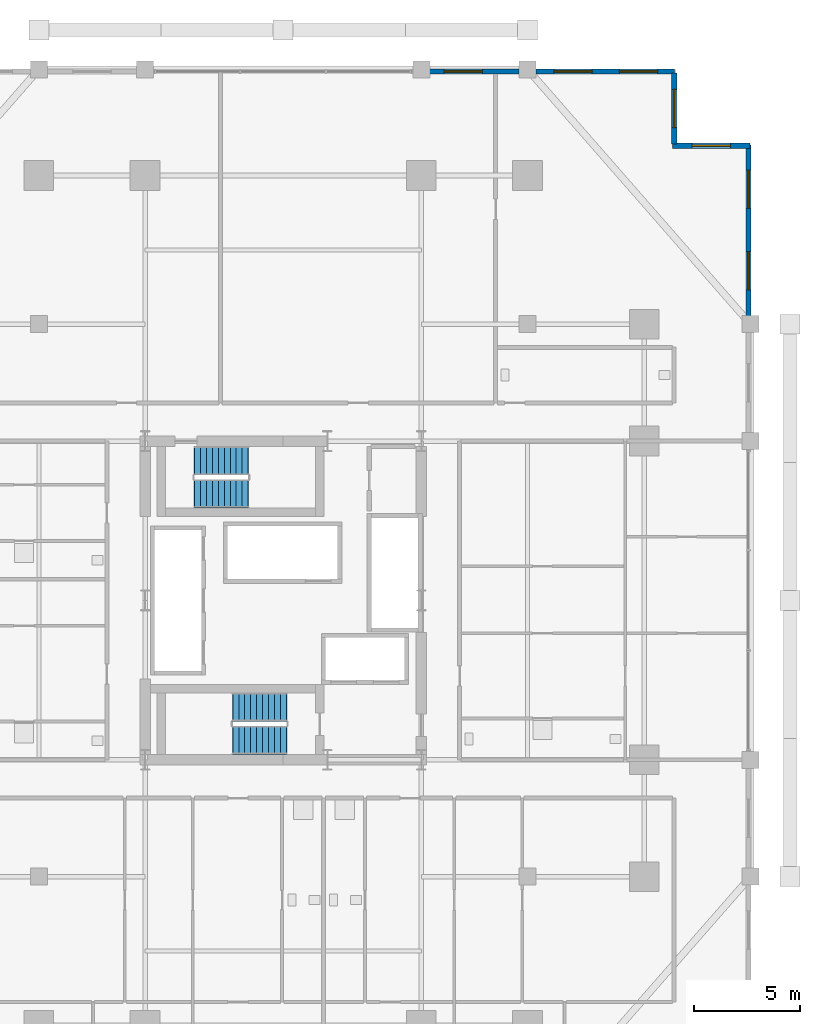
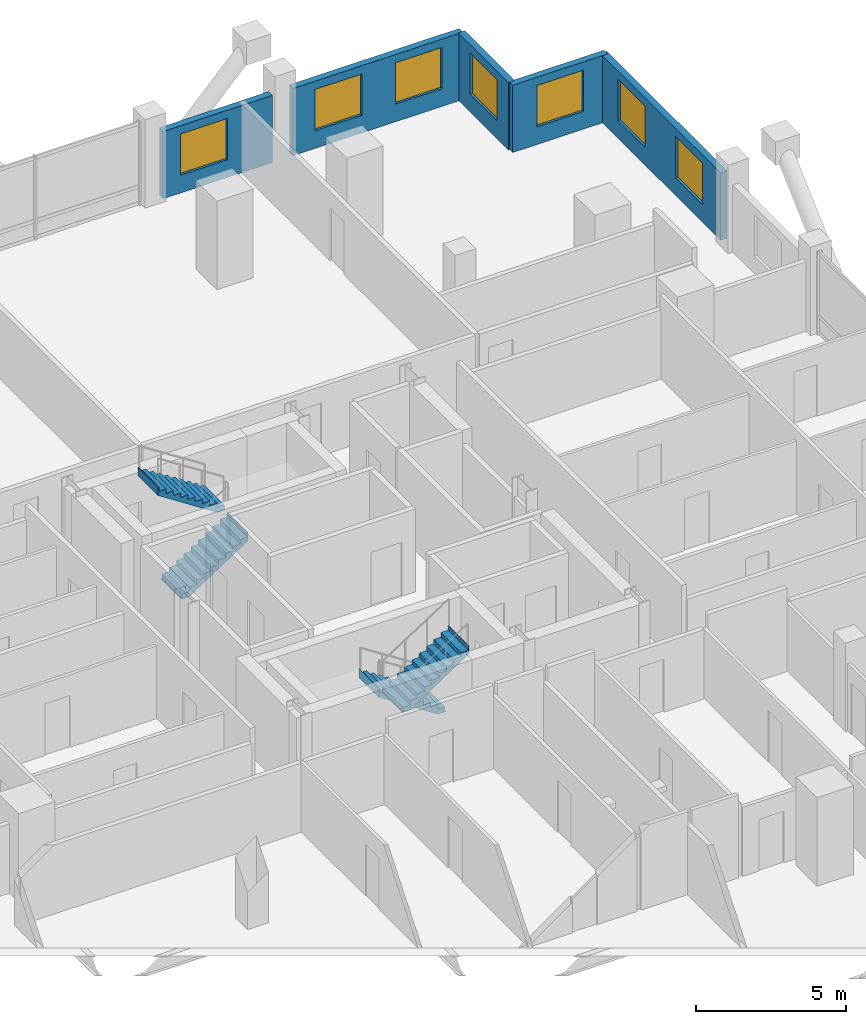
# One storey, part 21 of 23: 7 windows, 5 walls, 4 stair flights, 7 openings, 2 elements without a shape of their own.
"""IFC4 building model written with IfcOpenShell, lengths in metres."""

import ifcopenshell
import ifcopenshell.guid

model = None  # the IFC model being written
_history = None  # IfcOwnerHistory: only IFC2X3 demands one
_inside = {}  # id of a spatial element -> (the spatial element, [elements in it])
_under = {}  # id of a project, library or spatial element -> (it, [spatial elements below it])
_declared = {}  # id of a project -> (the project, [libraries it declares])
_typed = {}  # id of a type object -> (the type object, [elements of that type])
_made_of = {}  # id of a material, layer set ... -> (it, [elements and type objects made of it])


def new_model(schema):
    """Start an empty IFC model of exactly this schema.

    Asked for "IFC4X3", IfcOpenShell would pick the latest addendum, in which some entities
    have other attributes; the version numbers below select the first issue.
    IFC2X3 requires an IfcOwnerHistory on every rooted entity: one is made here for all.
    """
    global model, _history
    if schema == "IFC4X3":
        model = ifcopenshell.file(schema_version=(4, 3, 0, 0))
    else:
        model = ifcopenshell.file(schema=schema)
    _inside.clear()
    _under.clear()
    _declared.clear()
    _typed.clear()
    _made_of.clear()
    _history = None
    if model.schema == "IFC2X3":
        org = make("IfcOrganization", Name="unknown")
        user = make(
            "IfcPersonAndOrganization",
            ThePerson=make("IfcPerson", FamilyName="unknown"),
            TheOrganization=org,
        )
        app = make(
            "IfcApplication",
            ApplicationDeveloper=org,
            Version="unknown",
            ApplicationFullName="unknown",
            ApplicationIdentifier="unknown",
        )
        _history = make(
            "IfcOwnerHistory",
            OwningUser=user,
            OwningApplication=app,
            ChangeAction="ADDED",
            CreationDate=0,
        )
    return model


def make(cls, **values):
    """One entity of the class cls with the attributes given. An attribute that is None is left unset."""
    return model.create_entity(
        cls, **{name: value for name, value in values.items() if value is not None}
    )


def rooted(cls, **values):
    """An entity with a GlobalId (a new one), such as an element, a storey or a relation."""
    return make(cls, GlobalId=ifcopenshell.guid.new(), OwnerHistory=_history, **values)


def si_unit(unit_type, name, prefix=None):
    """IfcSIUnit, for example si_unit("LENGTHUNIT", "METRE", prefix="MILLI")."""
    return make("IfcSIUnit", UnitType=unit_type, Prefix=prefix, Name=name)


def assignment(units):
    """IfcUnitAssignment: the units of a project."""
    return None if units is None else make("IfcUnitAssignment", Units=units)


def point(xyz):
    """IfcCartesianPoint."""
    return None if xyz is None else make("IfcCartesianPoint", Coordinates=xyz)


def direction(xyz):
    """IfcDirection."""
    return None if xyz is None else make("IfcDirection", DirectionRatios=xyz)


def frame(location, z_axis=None, x_axis=None):
    """IfcAxis2Placement3D, a coordinate frame: its origin and axes. An axis left out is left unset."""
    return make(
        "IfcAxis2Placement3D",
        Location=point(location),
        Axis=direction(z_axis),
        RefDirection=direction(x_axis),
    )


def frame_2d(location, x_axis=None):
    """IfcAxis2Placement2D, a coordinate frame in the plane: its origin and x axis."""
    return make(
        "IfcAxis2Placement2D", Location=point(location), RefDirection=direction(x_axis)
    )


def origin():
    """The frame at (0, 0, 0) with its axes left unset."""
    return frame((0.0, 0.0, 0.0))


def place(relative_to, where):
    """IfcLocalPlacement: puts the frame where relative to a parent placement (None: the world)."""
    return make(
        "IfcLocalPlacement", PlacementRelTo=relative_to, RelativePlacement=where
    )


def context(
    kind, dimensions, precision=None, world=None, true_north=None, identifier=None
):
    """IfcGeometricRepresentationContext, for example the 3D "Model" context."""
    return make(
        "IfcGeometricRepresentationContext",
        ContextIdentifier=identifier,
        ContextType=kind,
        CoordinateSpaceDimension=dimensions,
        Precision=precision,
        WorldCoordinateSystem=world,
        TrueNorth=true_north,
    )


def subcontext(parent, identifier, kind, view, scale=None):
    """IfcGeometricRepresentationSubContext, for example "Body" below "Model"."""
    return make(
        "IfcGeometricRepresentationSubContext",
        ContextIdentifier=identifier,
        ContextType=kind,
        ParentContext=parent,
        TargetScale=scale,
        TargetView=view,
    )


def project(units=None, contexts=None):
    """IfcProject with its units and contexts."""
    return rooted(
        "IfcProject",
        Name="project",
        RepresentationContexts=contexts,
        UnitsInContext=assignment(units),
    )


def spatial(cls, under=None, at=None, **own):
    """A site, building, storey or space (cls), placed at a placement, below another one or the project."""
    s = rooted(cls, ObjectPlacement=at, **own)
    if under is not None:
        _under.setdefault(under.id(), (under, []))[1].append(s)
    return s


def polyline(points):
    """IfcPolyline through the points."""
    return make("IfcPolyline", Points=[point(p) for p in points])


def profile(cls, at=None, kind="AREA", **sizes):
    """A parametric profile (cls). Its sizes go by their IFC names, for example OverallWidth=200.0."""
    return make(cls, ProfileType=kind, Position=at, **sizes)


def rectangle(**sizes):
    """IfcRectangleProfileDef."""
    return profile("IfcRectangleProfileDef", **sizes)


def outline(outer, holes=None, kind="AREA"):
    """IfcArbitraryClosedProfileDef: a profile drawn as a closed curve; with holes, ...WithVoids."""
    if holes is None:
        return make("IfcArbitraryClosedProfileDef", ProfileType=kind, OuterCurve=outer)
    return make(
        "IfcArbitraryProfileDefWithVoids",
        ProfileType=kind,
        OuterCurve=outer,
        InnerCurves=holes,
    )


def extrude(swept, where, along, depth):
    """IfcExtrudedAreaSolid: the profile swept, set in the frame where, extruded along a direction by depth."""
    return make(
        "IfcExtrudedAreaSolid",
        SweptArea=swept,
        Position=where,
        ExtrudedDirection=direction(along),
        Depth=depth,
    )


def shape(context_of_items, identifier, shape_type, items):
    """IfcShapeRepresentation: the items that make up one representation, for example the "Body"."""
    return make(
        "IfcShapeRepresentation",
        ContextOfItems=context_of_items,
        RepresentationIdentifier=identifier,
        RepresentationType=shape_type,
        Items=items,
    )


def material(Name=None, Category=None):
    """IfcMaterial."""
    return make("IfcMaterial", Name=Name, Category=Category)


def layer(
    of_material, thickness, ventilated=None, Name=None, Category=None, Priority=None
):
    """IfcMaterialLayer: one layer of a wall or slab, of a material (None: an air gap)."""
    return make(
        "IfcMaterialLayer",
        Material=of_material,
        LayerThickness=thickness,
        IsVentilated=ventilated,
        Name=Name,
        Category=Category,
        Priority=Priority,
    )


def layer_set(layers, Name=None):
    """IfcMaterialLayerSet."""
    return make("IfcMaterialLayerSet", MaterialLayers=layers, LayerSetName=Name)


def made_of(thing, what):
    """Note that an element or type object is made of a material, layer set ...; save() writes the relation."""
    if what is not None:
        _made_of.setdefault(what.id(), (what, []))[1].append(thing)
    return thing


def type_object(cls, material=None, **own):
    """A type object (cls), such as IfcWallType, which elements share."""
    return made_of(rooted(cls, **own), material)


def element(
    cls,
    number,
    at=None,
    inside=None,
    cuts=None,
    type_object=None,
    material=None,
    context=None,
    identifier="Body",
    shape_type=None,
    held_by="IfcProductDefinitionShape",
    body=None,
    shapes=None,
    **own,
):
    """One element of the class cls, such as IfcWall. Its Tag is "e" and its number.

    at: its placement. inside: the storey or other place that contains it. cuts: it is an
    opening in that element (IfcRelVoidsElement). A single representation is given by context,
    identifier, shape_type and body (its items); several are given by shapes. held_by: the class
    of the entity that holds the representations. save() writes the other relations.
    """
    e = rooted(cls, Tag="e%d" % number, ObjectPlacement=at, **own)
    if body is not None:
        shapes = [shape(context, identifier, shape_type, body)]
    if shapes is not None:
        e.Representation = make(held_by, Representations=shapes)
    if inside is not None:
        _inside.setdefault(inside.id(), (inside, []))[1].append(e)
    if cuts is not None:
        rooted(
            "IfcRelVoidsElement", RelatingBuildingElement=cuts, RelatedOpeningElement=e
        )
    if type_object is not None:
        _typed.setdefault(type_object.id(), (type_object, []))[1].append(e)
    return made_of(e, material)


def fill(opening, filler):
    """IfcRelFillsElement: the door or window that sits in an opening."""
    return rooted(
        "IfcRelFillsElement",
        RelatingOpeningElement=opening,
        RelatedBuildingElement=filler,
    )


def aggregate(whole, parts):
    """IfcRelAggregates: a whole, such as a stair, and the parts it consists of."""
    return rooted("IfcRelAggregates", RelatingObject=whole, RelatedObjects=parts)


def save(model, path):
    """Write the relations noted so far, then the file.

    IfcRelAggregates (storeys below a building ...), IfcRelContainedInSpatialStructure (elements
    in a storey), IfcRelDefinesByType, IfcRelAssociatesMaterial and IfcRelDeclares: one each for
    every whole, place, type object, material and project.
    """
    for whole, parts in _under.values():
        aggregate(whole, parts)
    for where, things in _inside.values():
        rooted(
            "IfcRelContainedInSpatialStructure",
            RelatedElements=things,
            RelatingStructure=where,
        )
    for kind, things in _typed.values():
        rooted("IfcRelDefinesByType", RelatedObjects=things, RelatingType=kind)
    for what, things in _made_of.values():
        rooted("IfcRelAssociatesMaterial", RelatedObjects=things, RelatingMaterial=what)
    for by, libraries in _declared.values():
        rooted("IfcRelDeclares", RelatingContext=by, RelatedDefinitions=libraries)
    model.write(path)


model = new_model("IFC4")

# Units and contexts
model_context = context("Model", 3, precision=1e-05, world=origin(), true_north=direction((0.0, 1.0)))
body_context = subcontext(model_context, "Body", "Model", "MODEL_VIEW")
ifc_project = project(units=[si_unit("LENGTHUNIT", "METRE"), si_unit("AREAUNIT", "SQUARE_METRE"), si_unit("VOLUMEUNIT", "CUBIC_METRE"), si_unit("PLANEANGLEUNIT", "RADIAN"), si_unit("MASSUNIT", "GRAM", prefix="KILO")], contexts=[model_context])

# Site, building, storey
site_placement = place(None, origin())
site = spatial("IfcSite", under=ifc_project, at=site_placement, CompositionType="ELEMENT")
building_placement = place(site_placement, origin())
building = spatial("IfcBuilding", under=site, at=building_placement, Name="Barlavira Tower and Art Museum", CompositionType="ELEMENT")
storey_placement = place(building_placement, frame((0.0, 0.0, 36.0)))
storey = spatial("IfcBuildingStorey", under=building, at=storey_placement, Name="L07", CompositionType="ELEMENT", Elevation=36.0)

# Wall, openings, windows
ifc_material_1 = material(Name="Precast concrete C40", Category="concrete")
ifc_layer = layer(ifc_material_1, 0.25, Name="Precast concrete C40")
ifc_layer_set = layer_set([ifc_layer], Name="Precast concrete C40")
wall_type = type_object("IfcWallType", Name="Notched Corner Spandrel Wall 250 Precast Concrete C40", PredefinedType="SOLIDWALL", material=ifc_layer_set)
wall_1_placement = place(storey_placement, frame((18.425048828125, 24.89990234375, 0.0), z_axis=(0.0, 0.0, 1.0), x_axis=(-1.0, 0.0, 0.0)))
wall_1 = element("IfcWall", 1, at=wall_1_placement, inside=storey, type_object=wall_type, Name="L07 Coastal Facade Pier Wall CW1-L07-N-1", PredefinedType="SOLIDWALL", context=body_context, shape_type="SweptSolid", body=[
    extrude(rectangle(XDim=6.530029296875, YDim=0.25, at=frame_2d((3.26513671875, 0.0))), origin(), (0.0, 0.0, 1.0), 2.736083984375),
])
opening_1_placement = place(wall_1_placement, frame((0.801025390625, 0.0, 0.719970703125)))
opening_1 = element("IfcOpeningElement", 2, at=opening_1_placement, cuts=wall_1, Name="Opening WN-01", PredefinedType="OPENING", context=body_context, shape_type="SweptSolid", body=[
    extrude(rectangle(XDim=1.800048828125, YDim=1.679931640625, at=frame_2d((0.89990234375, 0.83984375))), frame((0.0, 0.135009765625, 0.0), z_axis=(0.0, -1.0, 0.0), x_axis=(1.0, 0.0, 0.0)), (0.0, 0.0, 1.0), 0.27001953125),
])
opening_2_placement = place(wall_1_placement, frame((3.884033203125, 0.0, 0.719970703125)))
opening_2 = element("IfcOpeningElement", 3, at=opening_2_placement, cuts=wall_1, Name="Opening WN-01", PredefinedType="OPENING", context=body_context, shape_type="SweptSolid", body=[
    extrude(rectangle(XDim=1.800048828125, YDim=1.679931640625, at=frame_2d((0.89990234375, 0.83984375))), frame((0.0, 0.135009765625, 0.0), z_axis=(0.0, -1.0, 0.0), x_axis=(1.0, 0.0, 0.0)), (0.0, 0.0, 1.0), 0.27001953125),
])
ifc_material_2 = material(Name="Low-iron coastal laminated glass", Category="glass")
window_type = type_object("IfcWindowType", Name="Recessed Notch Corner Punch Window 1800x1680", PartitioningType="SINGLE_PANEL", PredefinedType="WINDOW", material=ifc_material_2)
window_1_placement = place(opening_1_placement, origin())
window_1 = element("IfcWindow", 4, at=window_1_placement, inside=storey, type_object=window_type, Name="L07 Punched Facade Window EWP-CW1-L07-N-1-1", OverallHeight=1.679931640625, OverallWidth=1.800048828125, PartitioningType="SINGLE_PANEL", PredefinedType="WINDOW", context=body_context, shape_type="SweptSolid", body=[
    extrude(rectangle(XDim=1.800048828125, YDim=1.679931640625, at=frame_2d((0.89990234375, 0.83984375))), frame((0.0, 0.030029296875, 0.0), z_axis=(0.0, -1.0, 0.0), x_axis=(1.0, 0.0, 0.0)), (0.0, 0.0, 1.0), 0.06005859375),
])
fill(opening_1, window_1)
window_2_placement = place(opening_2_placement, origin())
window_2 = element("IfcWindow", 5, at=window_2_placement, inside=storey, type_object=window_type, Name="L07 Punched Facade Window EWP-CW1-L07-N-1-2", OverallHeight=1.679931640625, OverallWidth=1.800048828125, PartitioningType="SINGLE_PANEL", PredefinedType="WINDOW", context=body_context, shape_type="SweptSolid", body=[
    extrude(rectangle(XDim=1.800048828125, YDim=1.679931640625, at=frame_2d((0.89990234375, 0.83984375))), frame((0.0, 0.030029296875, 0.0), z_axis=(0.0, -1.0, 0.0), x_axis=(1.0, 0.0, 0.0)), (0.0, 0.0, 1.0), 0.06005859375),
])
fill(opening_2, window_2)

# Wall, opening, window
wall_2_placement = place(storey_placement, frame((11.10498046875, 24.89990234375, 0.0), z_axis=(0.0, 0.0, 1.0), x_axis=(-1.0, 0.0, 0.0)))
wall_2 = element("IfcWall", 6, at=wall_2_placement, inside=storey, type_object=wall_type, Name="L07 Coastal Facade Pier Wall CW1-L07-N-2", PredefinedType="SOLIDWALL", context=body_context, shape_type="SweptSolid", body=[
    extrude(rectangle(XDim=4.2099609375, YDim=0.25, at=frame_2d((2.10498046875, 0.0))), origin(), (0.0, 0.0, 1.0), 2.736083984375),
])
opening_3_placement = place(wall_2_placement, frame((1.735107421875, 0.0, 0.719970703125)))
opening_3 = element("IfcOpeningElement", 7, at=opening_3_placement, cuts=wall_2, Name="Opening WN-01", PredefinedType="OPENING", context=body_context, shape_type="SweptSolid", body=[
    extrude(rectangle(XDim=1.800048828125, YDim=1.679931640625, at=frame_2d((0.89990234375, 0.83984375))), frame((0.0, 0.135009765625, 0.0), z_axis=(0.0, -1.0, 0.0), x_axis=(1.0, 0.0, 0.0)), (0.0, 0.0, 1.0), 0.27001953125),
])
window_3_placement = place(opening_3_placement, origin())
window_3 = element("IfcWindow", 8, at=window_3_placement, inside=storey, type_object=window_type, Name="L07 Punched Facade Window EWP-CW1-L07-N-2-1", OverallHeight=1.679931640625, OverallWidth=1.800048828125, PartitioningType="SINGLE_PANEL", PredefinedType="WINDOW", context=body_context, shape_type="SweptSolid", body=[
    extrude(rectangle(XDim=1.800048828125, YDim=1.679931640625, at=frame_2d((0.89990234375, 0.83984375))), frame((0.0, 0.030029296875, 0.0), z_axis=(0.0, -1.0, 0.0), x_axis=(1.0, 0.0, 0.0)), (0.0, 0.0, 1.0), 0.06005859375),
])
fill(opening_3, window_3)

# Wall, openings, windows
wall_3_placement = place(storey_placement, frame((21.89990234375, 13.39501953125, 0.0), z_axis=(0.0, 0.0, 1.0), x_axis=(0.0, 1.0, 0.0)))
wall_3 = element("IfcWall", 9, at=wall_3_placement, inside=storey, type_object=wall_type, Name="L07 Coastal Facade Pier Wall CW1-L07-E-5", PredefinedType="SOLIDWALL", context=body_context, shape_type="SweptSolid", body=[
    extrude(rectangle(XDim=8.030029296875, YDim=0.25, at=frame_2d((4.01513671875, 0.0))), origin(), (0.0, 0.0, 1.0), 2.736083984375),
])
opening_4_placement = place(wall_3_placement, frame((1.220947265625, 0.0, 0.719970703125)))
opening_4 = element("IfcOpeningElement", 10, at=opening_4_placement, cuts=wall_3, Name="Opening WN-01", PredefinedType="OPENING", context=body_context, shape_type="SweptSolid", body=[
    extrude(rectangle(XDim=1.800048828125, YDim=1.679931640625, at=frame_2d((0.89990234375, 0.83984375))), frame((0.0, 0.135009765625, 0.0), z_axis=(0.0, -1.0, 0.0), x_axis=(1.0, 0.0, 0.0)), (0.0, 0.0, 1.0), 0.27001953125),
])
opening_5_placement = place(wall_3_placement, frame((5.053955078125, 0.0, 0.719970703125)))
opening_5 = element("IfcOpeningElement", 11, at=opening_5_placement, cuts=wall_3, Name="Opening WN-01", PredefinedType="OPENING", context=body_context, shape_type="SweptSolid", body=[
    extrude(rectangle(XDim=1.800048828125, YDim=1.679931640625, at=frame_2d((0.89990234375, 0.83984375))), frame((0.0, 0.135009765625, 0.0), z_axis=(0.0, -1.0, 0.0), x_axis=(1.0, 0.0, 0.0)), (0.0, 0.0, 1.0), 0.27001953125),
])
window_4_placement = place(opening_4_placement, origin())
window_4 = element("IfcWindow", 12, at=window_4_placement, inside=storey, type_object=window_type, Name="L07 Punched Facade Window EWP-CW1-L07-E-5-1", OverallHeight=1.679931640625, OverallWidth=1.800048828125, PartitioningType="SINGLE_PANEL", PredefinedType="WINDOW", context=body_context, shape_type="SweptSolid", body=[
    extrude(rectangle(XDim=1.800048828125, YDim=1.679931640625, at=frame_2d((0.89990234375, 0.83984375))), frame((0.0, 0.030029296875, 0.0), z_axis=(0.0, -1.0, 0.0), x_axis=(1.0, 0.0, 0.0)), (0.0, 0.0, 1.0), 0.06005859375),
])
fill(opening_4, window_4)
window_5_placement = place(opening_5_placement, origin())
window_5 = element("IfcWindow", 13, at=window_5_placement, inside=storey, type_object=window_type, Name="L07 Punched Facade Window EWP-CW1-L07-E-5-2", OverallHeight=1.679931640625, OverallWidth=1.800048828125, PartitioningType="SINGLE_PANEL", PredefinedType="WINDOW", context=body_context, shape_type="SweptSolid", body=[
    extrude(rectangle(XDim=1.800048828125, YDim=1.679931640625, at=frame_2d((0.89990234375, 0.83984375))), frame((0.0, 0.030029296875, 0.0), z_axis=(0.0, -1.0, 0.0), x_axis=(1.0, 0.0, 0.0)), (0.0, 0.0, 1.0), 0.06005859375),
])
fill(opening_5, window_5)

# Wall, opening, window
wall_4_placement = place(storey_placement, frame((21.97998046875, 21.39990234375, 0.0), z_axis=(0.0, 0.0, 1.0), x_axis=(-1.0, 0.0, 0.0)))
wall_4 = element("IfcWall", 14, at=wall_4_placement, inside=storey, type_object=wall_type, Name="L07 Notch Corner Wall NE1", PredefinedType="SOLIDWALL", context=body_context, shape_type="SweptSolid", body=[
    extrude(rectangle(XDim=3.659912109375, YDim=0.25, at=frame_2d((1.830078125, 0.0))), origin(), (0.0, 0.0, 1.0), 2.736083984375),
])
opening_6_placement = place(wall_4_placement, frame((0.929931640625, 0.0, 0.719970703125)))
opening_6 = element("IfcOpeningElement", 15, at=opening_6_placement, cuts=wall_4, Name="Opening WN-01", PredefinedType="OPENING", context=body_context, shape_type="SweptSolid", body=[
    extrude(rectangle(XDim=1.800048828125, YDim=1.679931640625, at=frame_2d((0.89990234375, 0.83984375))), frame((0.0, 0.135009765625, 0.0), z_axis=(0.0, -1.0, 0.0), x_axis=(1.0, 0.0, 0.0)), (0.0, 0.0, 1.0), 0.27001953125),
])
window_6_placement = place(opening_6_placement, origin())
window_6 = element("IfcWindow", 16, at=window_6_placement, inside=storey, type_object=window_type, Name="L07 Punched Facade Window EW-NTC-L07-NE1-1", OverallHeight=1.679931640625, OverallWidth=1.800048828125, PartitioningType="SINGLE_PANEL", PredefinedType="WINDOW", context=body_context, shape_type="SweptSolid", body=[
    extrude(rectangle(XDim=1.800048828125, YDim=1.679931640625, at=frame_2d((0.89990234375, 0.83984375))), frame((0.0, 0.030029296875, 0.0), z_axis=(0.0, -1.0, 0.0), x_axis=(1.0, 0.0, 0.0)), (0.0, 0.0, 1.0), 0.06005859375),
])
fill(opening_6, window_6)

wall_5_placement = place(storey_placement, frame((18.39990234375, 21.47998046875, 0.0), z_axis=(0.0, 0.0, 1.0), x_axis=(0.0, 1.0, 0.0)))
wall_5 = element("IfcWall", 17, at=wall_5_placement, inside=storey, type_object=wall_type, Name="L07 Notch Corner Wall NE2", PredefinedType="SOLIDWALL", context=body_context, shape_type="SweptSolid", body=[
    extrude(rectangle(XDim=3.340087890625, YDim=0.25, at=frame_2d((1.669921875, 0.0))), origin(), (0.0, 0.0, 1.0), 2.736083984375),
])
opening_7_placement = place(wall_5_placement, frame((0.77001953125, 0.0, 0.719970703125)))
opening_7 = element("IfcOpeningElement", 18, at=opening_7_placement, cuts=wall_5, Name="Opening WN-01", PredefinedType="OPENING", context=body_context, shape_type="SweptSolid", body=[
    extrude(rectangle(XDim=1.800048828125, YDim=1.679931640625, at=frame_2d((0.89990234375, 0.83984375))), frame((0.0, 0.135009765625, 0.0), z_axis=(0.0, -1.0, 0.0), x_axis=(1.0, 0.0, 0.0)), (0.0, 0.0, 1.0), 0.27001953125),
])
window_7_placement = place(opening_7_placement, origin())
window_7 = element("IfcWindow", 19, at=window_7_placement, inside=storey, type_object=window_type, Name="L07 Punched Facade Window EW-NTC-L07-NE2-1", OverallHeight=1.679931640625, OverallWidth=1.800048828125, PartitioningType="SINGLE_PANEL", PredefinedType="WINDOW", context=body_context, shape_type="SweptSolid", body=[
    extrude(rectangle(XDim=1.800048828125, YDim=1.679931640625, at=frame_2d((0.89990234375, 0.83984375))), frame((0.0, 0.030029296875, 0.0), z_axis=(0.0, -1.0, 0.0), x_axis=(1.0, 0.0, 0.0)), (0.0, 0.0, 1.0), 0.06005859375),
])
fill(opening_7, window_7)

# Stair, stair flights
ifc_material_3 = material(Name="Concrete C45", Category="concrete")
stair_type_1 = type_object("IfcStairType", Name="Tower North Dog-Leg Exit Stair Assembly Concrete C45", PredefinedType="TWO_QUARTER_TURN_STAIR", material=ifc_material_3)
stair_1_placement = place(storey_placement, origin())
stair_1 = element("IfcStair", 20, at=stair_1_placement, inside=storey, type_object=stair_type_1, Name="L07 Tower North Exit Stair ST-T2", PredefinedType="TWO_QUARTER_TURN_STAIR")
ifc_material_4 = material(Name="Precast concrete C45", Category="concrete")
stair_flight_type_1 = type_object("IfcStairFlightType", Name="Tower North Dog-Leg Exit Stair Precast Flight 1350 Concrete C45", PredefinedType="STRAIGHT", material=ifc_material_4)
stair_flight_1_placement = place(storey_placement, frame((-4.169921875, 5.02490234375, 0.0), z_axis=(0.0, 0.0, 1.0), x_axis=(1.0, 0.0, 0.0)))
stair_flight_1 = element("IfcStairFlight", 21, at=stair_flight_1_placement, type_object=stair_flight_type_1, Name="ST-T2 flight 1", NumberOfRisers=10, NumberOfTreads=9, PredefinedType="STRAIGHT", RiserHeight=0.18, TreadLength=0.28, context=body_context, shape_type="SweptSolid", body=[
    extrude(outline(polyline([(-0.02490234375, 0.0), (0.0, 0.0), (0.0, 0.179931640625), (0.280029296875, 0.179931640625), (0.280029296875, 0.360107421875), (0.56005859375, 0.360107421875), (0.56005859375, 0.5400390625), (0.840087890625, 0.5400390625), (0.840087890625, 0.719970703125), (1.1201171875, 0.719970703125), (1.1201171875, 0.89990234375), (1.39990234375, 0.89990234375), (1.39990234375, 1.080078125), (1.679931640625, 1.080078125), (1.679931640625, 1.260009765625), (1.9599609375, 1.260009765625), (1.9599609375, 1.43994140625), (2.239990234375, 1.43994140625), (2.239990234375, 1.6201171875), (2.52001953125, 1.6201171875), (2.52001953125, 1.800048828125), (2.544921875, 1.800048828125), (2.544921875, 1.44189453125), (2.52001953125, 1.44189453125), (0.277099609375, -0.02490234375), (-0.02490234375, -0.02490234375), (-0.02490234375, 0.0)])), frame((0.0, 0.675048828125, 0.0), z_axis=(0.0, -1.0, 0.0), x_axis=(1.0, 0.0, 0.0)), (0.0, 0.0, 1.0), 1.35009765625),
])
stair_flight_2_placement = place(storey_placement, frame((-1.64990234375, 6.574951171875, 1.800048828125), z_axis=(0.0, 0.0, 1.0), x_axis=(-1.0, 0.0, 0.0)))
stair_flight_2 = element("IfcStairFlight", 22, at=stair_flight_2_placement, type_object=stair_flight_type_1, Name="ST-T2 flight 2", NumberOfRisers=10, NumberOfTreads=9, PredefinedType="STRAIGHT", RiserHeight=0.18, TreadLength=0.28, context=body_context, shape_type="SweptSolid", body=[
    extrude(outline(polyline([(-0.02490234375, 0.0), (0.0, 0.0), (0.0, 0.179931640625), (0.280029296875, 0.179931640625), (0.280029296875, 0.360107421875), (0.56005859375, 0.360107421875), (0.56005859375, 0.5400390625), (0.840087890625, 0.5400390625), (0.840087890625, 0.719970703125), (1.1201171875, 0.719970703125), (1.1201171875, 0.89990234375), (1.39990234375, 0.89990234375), (1.39990234375, 1.080078125), (1.679931640625, 1.080078125), (1.679931640625, 1.260009765625), (1.9599609375, 1.260009765625), (1.9599609375, 1.43994140625), (2.239990234375, 1.43994140625), (2.239990234375, 1.6201171875), (2.52001953125, 1.6201171875), (2.52001953125, 1.800048828125), (2.544921875, 1.800048828125), (2.544921875, 1.44189453125), (2.52001953125, 1.44189453125), (0.277099609375, -0.02490234375), (-0.02490234375, -0.02490234375), (-0.02490234375, 0.0)])), frame((0.0, 0.675048828125, 0.0), z_axis=(0.0, -1.0, 0.0), x_axis=(1.0, 0.0, 0.0)), (0.0, 0.0, 1.0), 1.35009765625),
])
aggregate(stair_1, [stair_flight_1, stair_flight_2])

stair_type_2 = type_object("IfcStairType", Name="Tower South Dog-Leg Exit Stair Assembly Concrete C45", PredefinedType="TWO_QUARTER_TURN_STAIR", material=ifc_material_3)
stair_2_placement = place(storey_placement, origin())
stair_2 = element("IfcStair", 23, at=stair_2_placement, inside=storey, type_object=stair_type_2, Name="L07 Tower South Exit Stair ST-T1", PredefinedType="TWO_QUARTER_TURN_STAIR")
stair_flight_type_2 = type_object("IfcStairFlightType", Name="Tower South Dog-Leg Exit Stair Precast Flight 1350 Concrete C45", PredefinedType="STRAIGHT", material=ifc_material_4)
stair_flight_3_placement = place(storey_placement, frame((0.14990234375, -5.02490234375, 0.0), z_axis=(0.0, 0.0, 1.0), x_axis=(-1.0, 0.0, 0.0)))
stair_flight_3 = element("IfcStairFlight", 24, at=stair_flight_3_placement, type_object=stair_flight_type_2, Name="ST-T1 flight 1", NumberOfRisers=10, NumberOfTreads=9, PredefinedType="STRAIGHT", RiserHeight=0.18, TreadLength=0.28, context=body_context, shape_type="SweptSolid", body=[
    extrude(outline(polyline([(-0.02490234375, 0.0), (0.0, 0.0), (0.0, 0.179931640625), (0.280029296875, 0.179931640625), (0.280029296875, 0.360107421875), (0.56005859375, 0.360107421875), (0.56005859375, 0.5400390625), (0.840087890625, 0.5400390625), (0.840087890625, 0.719970703125), (1.1201171875, 0.719970703125), (1.1201171875, 0.89990234375), (1.39990234375, 0.89990234375), (1.39990234375, 1.080078125), (1.679931640625, 1.080078125), (1.679931640625, 1.260009765625), (1.9599609375, 1.260009765625), (1.9599609375, 1.43994140625), (2.239990234375, 1.43994140625), (2.239990234375, 1.6201171875), (2.52001953125, 1.6201171875), (2.52001953125, 1.800048828125), (2.544921875, 1.800048828125), (2.544921875, 1.44189453125), (2.52001953125, 1.44189453125), (0.277099609375, -0.02490234375), (-0.02490234375, -0.02490234375), (-0.02490234375, 0.0)])), frame((0.0, 0.675048828125, 0.0), z_axis=(0.0, -1.0, 0.0), x_axis=(1.0, 0.0, 0.0)), (0.0, 0.0, 1.0), 1.35009765625),
])
stair_flight_4_placement = place(storey_placement, frame((-2.3701171875, -6.574951171875, 1.800048828125), z_axis=(0.0, 0.0, 1.0), x_axis=(1.0, 0.0, 0.0)))
stair_flight_4 = element("IfcStairFlight", 25, at=stair_flight_4_placement, type_object=stair_flight_type_2, Name="ST-T1 flight 2", NumberOfRisers=10, NumberOfTreads=9, PredefinedType="STRAIGHT", RiserHeight=0.18, TreadLength=0.28, context=body_context, shape_type="SweptSolid", body=[
    extrude(outline(polyline([(-0.02490234375, 0.0), (0.0, 0.0), (0.0, 0.179931640625), (0.280029296875, 0.179931640625), (0.280029296875, 0.360107421875), (0.56005859375, 0.360107421875), (0.56005859375, 0.5400390625), (0.840087890625, 0.5400390625), (0.840087890625, 0.719970703125), (1.1201171875, 0.719970703125), (1.1201171875, 0.89990234375), (1.39990234375, 0.89990234375), (1.39990234375, 1.080078125), (1.679931640625, 1.080078125), (1.679931640625, 1.260009765625), (1.9599609375, 1.260009765625), (1.9599609375, 1.43994140625), (2.239990234375, 1.43994140625), (2.239990234375, 1.6201171875), (2.52001953125, 1.6201171875), (2.52001953125, 1.800048828125), (2.544921875, 1.800048828125), (2.544921875, 1.44189453125), (2.52001953125, 1.44189453125), (0.277099609375, -0.02490234375), (-0.02490234375, -0.02490234375), (-0.02490234375, 0.0)])), frame((0.0, 0.675048828125, 0.0), z_axis=(0.0, -1.0, 0.0), x_axis=(1.0, 0.0, 0.0)), (0.0, 0.0, 1.0), 1.35009765625),
])
aggregate(stair_2, [stair_flight_3, stair_flight_4])

save(model, "model.ifc")
